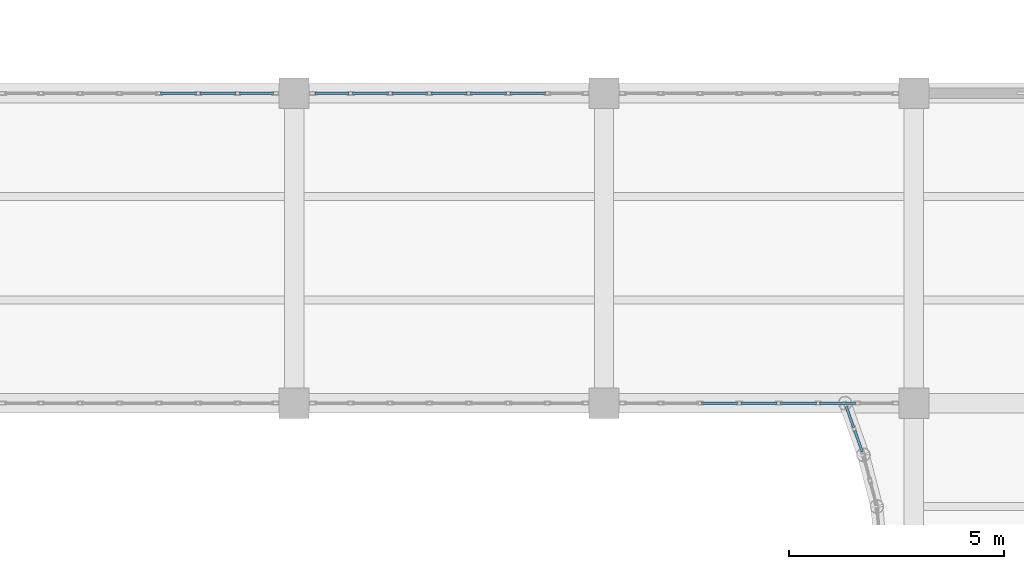
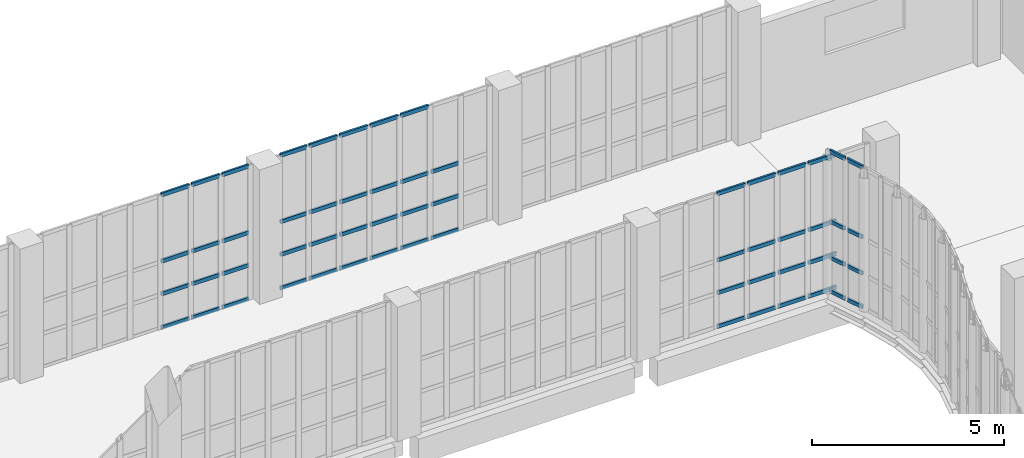
# One storey, part 56 of 108: 59 members, 4 elements without a shape of their own.
"""IFC4 building model written with IfcOpenShell, lengths in metres."""

from ifc_helpers import new_model, si_unit, direction, frame, origin, origin_2d, place, context, subcontext, project, spatial, hollow_rectangle, extrude, material, layer, layer_set, material_profile, profile_set, type_object, element, aggregate, save


model = new_model("IFC4")

# Units and contexts
model_context = context("Model", 3, precision=1e-05, world=origin(), true_north=direction((0.0, 1.0)))
body_context = subcontext(model_context, "Body", "Model", "MODEL_VIEW")
ifc_project = project(units=[si_unit("LENGTHUNIT", "METRE"), si_unit("AREAUNIT", "SQUARE_METRE"), si_unit("VOLUMEUNIT", "CUBIC_METRE"), si_unit("PLANEANGLEUNIT", "RADIAN"), si_unit("MASSUNIT", "GRAM", prefix="KILO"), si_unit("THERMODYNAMICTEMPERATUREUNIT", "KELVIN"), si_unit("POWERUNIT", "WATT")], contexts=[model_context])

# Site, building, storey
site_placement = place(None, origin())
site = spatial("IfcSite", under=ifc_project, at=site_placement, CompositionType="ELEMENT")
building_placement = place(site_placement, origin())
building = spatial("IfcBuilding", under=site, at=building_placement, Name="Kaldorven Railside Theatre", CompositionType="ELEMENT")
storey_placement = place(building_placement, frame((0.0, 0.0, 5.39990234375)))
storey = spatial("IfcBuildingStorey", under=building, at=storey_placement, Name="L01", CompositionType="ELEMENT", Elevation=5.39990234375)

# Curtain wall, members
ifc_material_1 = material(Name="Low-E laminated solar-control glass", Category="glass")
ifc_layer_1 = layer(ifc_material_1, 0.159912109375, Name="Low-E laminated solar-control glass")
ifc_layer_set_1 = layer_set([ifc_layer_1], Name="Low-E laminated solar-control glass")
curtain_wall_type_1 = type_object("IfcCurtainWallType", Name="CWT-01", PredefinedType="USERDEFINED", material=ifc_layer_set_1)
curtain_wall_1_placement = place(storey_placement, origin())
curtain_wall_1 = element("IfcCurtainWall", 1, at=curtain_wall_1_placement, inside=storey, type_object=curtain_wall_type_1, Name="Sinusoidal Fluted Curtain Wall CW-L01-W24", ObjectType="FLUTED GLAZING", PredefinedType="USERDEFINED")
ifc_material_2 = material(Name="Anodised bronze aluminium", Category="aluminium")
ifc_material_profile = material_profile(ifc_material_2, hollow_rectangle(XDim=0.06005859375, YDim=0.1201171875, WallThickness=0.0048828125, at=origin_2d()), Name="RHS 120x60x5")
ifc_profile_set = profile_set([ifc_material_profile], Name="Anodised bronze aluminium")
member_type = type_object("IfcMemberType", Name="CWT-120", PredefinedType="USERDEFINED", material=ifc_profile_set)
member_1_placement = place(storey_placement, frame((71.598388671875, 68.475341796875, 0.030029296875), z_axis=(-0.334030800363, 0.94256215944, 0.0), x_axis=(-0.94256215944, -0.334030800363, 0.0)))
member_1 = element("IfcMember", 2, at=member_1_placement, type_object=member_type, Name="CW-L01-W24 transom 1.1", ObjectType="TRANSOM", PredefinedType="USERDEFINED", context=body_context, shape_type="SweptSolid", body=[
    extrude(hollow_rectangle(XDim=0.06005859375, YDim=0.1201171875, WallThickness=0.0048828125, at=origin_2d()), origin(), (0.0, 0.0, 1.0), 0.516845703125),
])
member_2_placement = place(storey_placement, frame((71.598388671875, 68.475341796875, 1.10009765625), z_axis=(-0.334030800363, 0.94256215944, 0.0), x_axis=(-0.94256215944, -0.334030800363, 0.0)))
member_2 = element("IfcMember", 3, at=member_2_placement, type_object=member_type, Name="CW-L01-W24 transom 1.2", ObjectType="TRANSOM", PredefinedType="USERDEFINED", context=body_context, shape_type="SweptSolid", body=[
    extrude(hollow_rectangle(XDim=0.06005859375, YDim=0.1201171875, WallThickness=0.0048828125, at=origin_2d()), origin(), (0.0, 0.0, 1.0), 0.516845703125),
])
member_3_placement = place(storey_placement, frame((71.598388671875, 68.475341796875, 2.25), z_axis=(-0.334030800363, 0.94256215944, 0.0), x_axis=(-0.94256215944, -0.334030800363, 0.0)))
member_3 = element("IfcMember", 4, at=member_3_placement, type_object=member_type, Name="CW-L01-W24 transom 1.3", ObjectType="TRANSOM", PredefinedType="USERDEFINED", context=body_context, shape_type="SweptSolid", body=[
    extrude(hollow_rectangle(XDim=0.06005859375, YDim=0.1201171875, WallThickness=0.0048828125, at=origin_2d()), origin(), (0.0, 0.0, 1.0), 0.516845703125),
])
member_4_placement = place(storey_placement, frame((71.598388671875, 68.475341796875, 4.47021484375), z_axis=(-0.334030800363, 0.94256215944, 0.0), x_axis=(-0.94256215944, -0.334030800363, 0.0)))
member_4 = element("IfcMember", 5, at=member_4_placement, type_object=member_type, Name="CW-L01-W24 transom 1.4", ObjectType="TRANSOM", PredefinedType="USERDEFINED", context=body_context, shape_type="SweptSolid", body=[
    extrude(hollow_rectangle(XDim=0.06005859375, YDim=0.1201171875, WallThickness=0.0048828125, at=origin_2d()), origin(), (0.0, 0.0, 1.0), 0.516845703125),
])
member_5_placement = place(storey_placement, frame((71.399169921875, 69.03759765625, 0.030029296875), z_axis=(-0.333610954502, 0.942710841688, 0.0), x_axis=(-0.942710841688, -0.333610954502, 0.0)))
member_5 = element("IfcMember", 6, at=member_5_placement, type_object=member_type, Name="CW-L01-W24 transom 2.1", ObjectType="TRANSOM", PredefinedType="USERDEFINED", context=body_context, shape_type="SweptSolid", body=[
    extrude(hollow_rectangle(XDim=0.06005859375, YDim=0.1201171875, WallThickness=0.0048828125, at=origin_2d()), origin(), (0.0, 0.0, 1.0), 0.5166015625),
])
member_6_placement = place(storey_placement, frame((71.399169921875, 69.03759765625, 1.10009765625), z_axis=(-0.333610954502, 0.942710841688, 0.0), x_axis=(-0.942710841688, -0.333610954502, 0.0)))
member_6 = element("IfcMember", 7, at=member_6_placement, type_object=member_type, Name="CW-L01-W24 transom 2.2", ObjectType="TRANSOM", PredefinedType="USERDEFINED", context=body_context, shape_type="SweptSolid", body=[
    extrude(hollow_rectangle(XDim=0.06005859375, YDim=0.1201171875, WallThickness=0.0048828125, at=origin_2d()), origin(), (0.0, 0.0, 1.0), 0.5166015625),
])
member_7_placement = place(storey_placement, frame((71.399169921875, 69.03759765625, 2.25), z_axis=(-0.333610954502, 0.942710841688, 0.0), x_axis=(-0.942710841688, -0.333610954502, 0.0)))
member_7 = element("IfcMember", 8, at=member_7_placement, type_object=member_type, Name="CW-L01-W24 transom 2.3", ObjectType="TRANSOM", PredefinedType="USERDEFINED", context=body_context, shape_type="SweptSolid", body=[
    extrude(hollow_rectangle(XDim=0.06005859375, YDim=0.1201171875, WallThickness=0.0048828125, at=origin_2d()), origin(), (0.0, 0.0, 1.0), 0.5166015625),
])
member_8_placement = place(storey_placement, frame((71.399169921875, 69.03759765625, 4.47021484375), z_axis=(-0.333610954502, 0.942710841688, 0.0), x_axis=(-0.942710841688, -0.333610954502, 0.0)))
member_8 = element("IfcMember", 9, at=member_8_placement, type_object=member_type, Name="CW-L01-W24 transom 2.4", ObjectType="TRANSOM", PredefinedType="USERDEFINED", context=body_context, shape_type="SweptSolid", body=[
    extrude(hollow_rectangle(XDim=0.06005859375, YDim=0.1201171875, WallThickness=0.0048828125, at=origin_2d()), origin(), (0.0, 0.0, 1.0), 0.5166015625),
])
aggregate(curtain_wall_1, [member_1, member_2, member_3, member_4, member_5, member_6, member_7, member_8])

ifc_layer_2 = layer(ifc_material_1, 0.159912109375, Name="Low-E laminated solar-control glass")
ifc_layer_set_2 = layer_set([ifc_layer_2], Name="Low-E laminated solar-control glass")
curtain_wall_type_2 = type_object("IfcCurtainWallType", Name="CWT-25", PredefinedType="USERDEFINED", material=ifc_layer_set_2)
curtain_wall_2_placement = place(storey_placement, origin())
curtain_wall_2 = element("IfcCurtainWall", 10, at=curtain_wall_2_placement, inside=storey, type_object=curtain_wall_type_2, Name="Sinusoidal Fluted Curtain Wall CW-L01-BN02", ObjectType="FLUTED GLAZING", PredefinedType="USERDEFINED")
member_9_placement = place(storey_placement, frame((55.297119140625, 76.800048828125, 0.030029296875), z_axis=(1.0, 0.0, 0.0), x_axis=(0.0, 1.0, 0.0)))
member_9 = element("IfcMember", 11, at=member_9_placement, type_object=member_type, Name="CW-L01-BN02 transom 5.1", ObjectType="TRANSOM", PredefinedType="USERDEFINED", context=body_context, shape_type="SweptSolid", body=[
    extrude(hollow_rectangle(XDim=0.06005859375, YDim=0.1201171875, WallThickness=0.0048828125, at=origin_2d()), origin(), (0.0, 0.0, 1.0), 0.834228515625),
])
member_10_placement = place(storey_placement, frame((55.297119140625, 76.800048828125, 1.10009765625), z_axis=(1.0, 0.0, 0.0), x_axis=(0.0, 1.0, 0.0)))
member_10 = element("IfcMember", 12, at=member_10_placement, type_object=member_type, Name="CW-L01-BN02 transom 5.2", ObjectType="TRANSOM", PredefinedType="USERDEFINED", context=body_context, shape_type="SweptSolid", body=[
    extrude(hollow_rectangle(XDim=0.06005859375, YDim=0.1201171875, WallThickness=0.0048828125, at=origin_2d()), origin(), (0.0, 0.0, 1.0), 0.834228515625),
])
member_11_placement = place(storey_placement, frame((55.297119140625, 76.800048828125, 2.14013671875), z_axis=(1.0, 0.0, 0.0), x_axis=(0.0, 1.0, 0.0)))
member_11 = element("IfcMember", 13, at=member_11_placement, type_object=member_type, Name="CW-L01-BN02 transom 5.3", ObjectType="TRANSOM", PredefinedType="USERDEFINED", context=body_context, shape_type="SweptSolid", body=[
    extrude(hollow_rectangle(XDim=0.06005859375, YDim=0.1201171875, WallThickness=0.0048828125, at=origin_2d()), origin(), (0.0, 0.0, 1.0), 0.834228515625),
])
member_12_placement = place(storey_placement, frame((55.297119140625, 76.800048828125, 4.25), z_axis=(1.0, 0.0, 0.0), x_axis=(0.0, 1.0, 0.0)))
member_12 = element("IfcMember", 14, at=member_12_placement, type_object=member_type, Name="CW-L01-BN02 transom 5.4", ObjectType="TRANSOM", PredefinedType="USERDEFINED", context=body_context, shape_type="SweptSolid", body=[
    extrude(hollow_rectangle(XDim=0.06005859375, YDim=0.1201171875, WallThickness=0.0048828125, at=origin_2d()), origin(), (0.0, 0.0, 1.0), 0.834228515625),
])
member_13_placement = place(storey_placement, frame((56.21142578125, 76.800048828125, 0.030029296875), z_axis=(1.0, 0.0, 0.0), x_axis=(0.0, 1.0, 0.0)))
member_13 = element("IfcMember", 15, at=member_13_placement, type_object=member_type, Name="CW-L01-BN02 transom 6.1", ObjectType="TRANSOM", PredefinedType="USERDEFINED", context=body_context, shape_type="SweptSolid", body=[
    extrude(hollow_rectangle(XDim=0.06005859375, YDim=0.1201171875, WallThickness=0.0048828125, at=origin_2d()), origin(), (0.0, 0.0, 1.0), 0.834228515625),
])
member_14_placement = place(storey_placement, frame((56.21142578125, 76.800048828125, 1.10009765625), z_axis=(1.0, 0.0, 0.0), x_axis=(0.0, 1.0, 0.0)))
member_14 = element("IfcMember", 16, at=member_14_placement, type_object=member_type, Name="CW-L01-BN02 transom 6.2", ObjectType="TRANSOM", PredefinedType="USERDEFINED", context=body_context, shape_type="SweptSolid", body=[
    extrude(hollow_rectangle(XDim=0.06005859375, YDim=0.1201171875, WallThickness=0.0048828125, at=origin_2d()), origin(), (0.0, 0.0, 1.0), 0.834228515625),
])
member_15_placement = place(storey_placement, frame((56.21142578125, 76.800048828125, 2.14013671875), z_axis=(1.0, 0.0, 0.0), x_axis=(0.0, 1.0, 0.0)))
member_15 = element("IfcMember", 17, at=member_15_placement, type_object=member_type, Name="CW-L01-BN02 transom 6.3", ObjectType="TRANSOM", PredefinedType="USERDEFINED", context=body_context, shape_type="SweptSolid", body=[
    extrude(hollow_rectangle(XDim=0.06005859375, YDim=0.1201171875, WallThickness=0.0048828125, at=origin_2d()), origin(), (0.0, 0.0, 1.0), 0.834228515625),
])
member_16_placement = place(storey_placement, frame((56.21142578125, 76.800048828125, 4.25), z_axis=(1.0, 0.0, 0.0), x_axis=(0.0, 1.0, 0.0)))
member_16 = element("IfcMember", 18, at=member_16_placement, type_object=member_type, Name="CW-L01-BN02 transom 6.4", ObjectType="TRANSOM", PredefinedType="USERDEFINED", context=body_context, shape_type="SweptSolid", body=[
    extrude(hollow_rectangle(XDim=0.06005859375, YDim=0.1201171875, WallThickness=0.0048828125, at=origin_2d()), origin(), (0.0, 0.0, 1.0), 0.834228515625),
])
member_17_placement = place(storey_placement, frame((57.125732421875, 76.800048828125, 0.030029296875), z_axis=(1.0, 0.0, 0.0), x_axis=(0.0, 1.0, 0.0)))
member_17 = element("IfcMember", 19, at=member_17_placement, type_object=member_type, Name="CW-L01-BN02 transom 7.1", ObjectType="TRANSOM", PredefinedType="USERDEFINED", context=body_context, shape_type="SweptSolid", body=[
    extrude(hollow_rectangle(XDim=0.06005859375, YDim=0.1201171875, WallThickness=0.0048828125, at=origin_2d()), origin(), (0.0, 0.0, 1.0), 0.794189453125),
])
member_18_placement = place(storey_placement, frame((57.125732421875, 76.800048828125, 1.10009765625), z_axis=(1.0, 0.0, 0.0), x_axis=(0.0, 1.0, 0.0)))
member_18 = element("IfcMember", 20, at=member_18_placement, type_object=member_type, Name="CW-L01-BN02 transom 7.2", ObjectType="TRANSOM", PredefinedType="USERDEFINED", context=body_context, shape_type="SweptSolid", body=[
    extrude(hollow_rectangle(XDim=0.06005859375, YDim=0.1201171875, WallThickness=0.0048828125, at=origin_2d()), origin(), (0.0, 0.0, 1.0), 0.794189453125),
])
member_19_placement = place(storey_placement, frame((57.125732421875, 76.800048828125, 2.14013671875), z_axis=(1.0, 0.0, 0.0), x_axis=(0.0, 1.0, 0.0)))
member_19 = element("IfcMember", 21, at=member_19_placement, type_object=member_type, Name="CW-L01-BN02 transom 7.3", ObjectType="TRANSOM", PredefinedType="USERDEFINED", context=body_context, shape_type="SweptSolid", body=[
    extrude(hollow_rectangle(XDim=0.06005859375, YDim=0.1201171875, WallThickness=0.0048828125, at=origin_2d()), origin(), (0.0, 0.0, 1.0), 0.794189453125),
])
member_20_placement = place(storey_placement, frame((57.125732421875, 76.800048828125, 4.25), z_axis=(1.0, 0.0, 0.0), x_axis=(0.0, 1.0, 0.0)))
member_20 = element("IfcMember", 22, at=member_20_placement, type_object=member_type, Name="CW-L01-BN02 transom 7.4", ObjectType="TRANSOM", PredefinedType="USERDEFINED", context=body_context, shape_type="SweptSolid", body=[
    extrude(hollow_rectangle(XDim=0.06005859375, YDim=0.1201171875, WallThickness=0.0048828125, at=origin_2d()), origin(), (0.0, 0.0, 1.0), 0.794189453125),
])
aggregate(curtain_wall_2, [member_9, member_10, member_11, member_12, member_13, member_14, member_15, member_16, member_17, member_18, member_19, member_20])

curtain_wall_3_placement = place(storey_placement, origin())
curtain_wall_3 = element("IfcCurtainWall", 23, at=curtain_wall_3_placement, inside=storey, type_object=curtain_wall_type_2, Name="Sinusoidal Fluted Curtain Wall CW-L01-BN03", ObjectType="FLUTED GLAZING", PredefinedType="USERDEFINED")
member_21_placement = place(storey_placement, frame((58.8798828125, 76.800048828125, 0.030029296875), z_axis=(1.0, 0.0, 0.0), x_axis=(0.0, 1.0, 0.0)))
member_21 = element("IfcMember", 24, at=member_21_placement, type_object=member_type, Name="CW-L01-BN03 transom 1.1", ObjectType="TRANSOM", PredefinedType="USERDEFINED", context=body_context, shape_type="SweptSolid", body=[
    extrude(hollow_rectangle(XDim=0.06005859375, YDim=0.1201171875, WallThickness=0.0048828125, at=origin_2d()), origin(), (0.0, 0.0, 1.0), 0.79443359375),
])
member_22_placement = place(storey_placement, frame((58.8798828125, 76.800048828125, 1.10009765625), z_axis=(1.0, 0.0, 0.0), x_axis=(0.0, 1.0, 0.0)))
member_22 = element("IfcMember", 25, at=member_22_placement, type_object=member_type, Name="CW-L01-BN03 transom 1.2", ObjectType="TRANSOM", PredefinedType="USERDEFINED", context=body_context, shape_type="SweptSolid", body=[
    extrude(hollow_rectangle(XDim=0.06005859375, YDim=0.1201171875, WallThickness=0.0048828125, at=origin_2d()), origin(), (0.0, 0.0, 1.0), 0.79443359375),
])
member_23_placement = place(storey_placement, frame((58.8798828125, 76.800048828125, 2.14013671875), z_axis=(1.0, 0.0, 0.0), x_axis=(0.0, 1.0, 0.0)))
member_23 = element("IfcMember", 26, at=member_23_placement, type_object=member_type, Name="CW-L01-BN03 transom 1.3", ObjectType="TRANSOM", PredefinedType="USERDEFINED", context=body_context, shape_type="SweptSolid", body=[
    extrude(hollow_rectangle(XDim=0.06005859375, YDim=0.1201171875, WallThickness=0.0048828125, at=origin_2d()), origin(), (0.0, 0.0, 1.0), 0.79443359375),
])
member_24_placement = place(storey_placement, frame((58.8798828125, 76.800048828125, 4.25), z_axis=(1.0, 0.0, 0.0), x_axis=(0.0, 1.0, 0.0)))
member_24 = element("IfcMember", 27, at=member_24_placement, type_object=member_type, Name="CW-L01-BN03 transom 1.4", ObjectType="TRANSOM", PredefinedType="USERDEFINED", context=body_context, shape_type="SweptSolid", body=[
    extrude(hollow_rectangle(XDim=0.06005859375, YDim=0.1201171875, WallThickness=0.0048828125, at=origin_2d()), origin(), (0.0, 0.0, 1.0), 0.79443359375),
])
member_25_placement = place(storey_placement, frame((59.75439453125, 76.800048828125, 0.030029296875), z_axis=(1.0, 0.0, 0.0), x_axis=(0.0, 1.0, 0.0)))
member_25 = element("IfcMember", 28, at=member_25_placement, type_object=member_type, Name="CW-L01-BN03 transom 2.1", ObjectType="TRANSOM", PredefinedType="USERDEFINED", context=body_context, shape_type="SweptSolid", body=[
    extrude(hollow_rectangle(XDim=0.06005859375, YDim=0.1201171875, WallThickness=0.0048828125, at=origin_2d()), origin(), (0.0, 0.0, 1.0), 0.834228515625),
])
member_26_placement = place(storey_placement, frame((59.75439453125, 76.800048828125, 1.10009765625), z_axis=(1.0, 0.0, 0.0), x_axis=(0.0, 1.0, 0.0)))
member_26 = element("IfcMember", 29, at=member_26_placement, type_object=member_type, Name="CW-L01-BN03 transom 2.2", ObjectType="TRANSOM", PredefinedType="USERDEFINED", context=body_context, shape_type="SweptSolid", body=[
    extrude(hollow_rectangle(XDim=0.06005859375, YDim=0.1201171875, WallThickness=0.0048828125, at=origin_2d()), origin(), (0.0, 0.0, 1.0), 0.834228515625),
])
member_27_placement = place(storey_placement, frame((59.75439453125, 76.800048828125, 2.14013671875), z_axis=(1.0, 0.0, 0.0), x_axis=(0.0, 1.0, 0.0)))
member_27 = element("IfcMember", 30, at=member_27_placement, type_object=member_type, Name="CW-L01-BN03 transom 2.3", ObjectType="TRANSOM", PredefinedType="USERDEFINED", context=body_context, shape_type="SweptSolid", body=[
    extrude(hollow_rectangle(XDim=0.06005859375, YDim=0.1201171875, WallThickness=0.0048828125, at=origin_2d()), origin(), (0.0, 0.0, 1.0), 0.834228515625),
])
member_28_placement = place(storey_placement, frame((59.75439453125, 76.800048828125, 4.25), z_axis=(1.0, 0.0, 0.0), x_axis=(0.0, 1.0, 0.0)))
member_28 = element("IfcMember", 31, at=member_28_placement, type_object=member_type, Name="CW-L01-BN03 transom 2.4", ObjectType="TRANSOM", PredefinedType="USERDEFINED", context=body_context, shape_type="SweptSolid", body=[
    extrude(hollow_rectangle(XDim=0.06005859375, YDim=0.1201171875, WallThickness=0.0048828125, at=origin_2d()), origin(), (0.0, 0.0, 1.0), 0.834228515625),
])
member_29_placement = place(storey_placement, frame((60.66845703125, 76.800048828125, 0.030029296875), z_axis=(1.0, 0.0, 0.0), x_axis=(0.0, 1.0, 0.0)))
member_29 = element("IfcMember", 32, at=member_29_placement, type_object=member_type, Name="CW-L01-BN03 transom 3.1", ObjectType="TRANSOM", PredefinedType="USERDEFINED", context=body_context, shape_type="SweptSolid", body=[
    extrude(hollow_rectangle(XDim=0.06005859375, YDim=0.1201171875, WallThickness=0.0048828125, at=origin_2d()), origin(), (0.0, 0.0, 1.0), 0.83447265625),
])
member_30_placement = place(storey_placement, frame((60.66845703125, 76.800048828125, 1.10009765625), z_axis=(1.0, 0.0, 0.0), x_axis=(0.0, 1.0, 0.0)))
member_30 = element("IfcMember", 33, at=member_30_placement, type_object=member_type, Name="CW-L01-BN03 transom 3.2", ObjectType="TRANSOM", PredefinedType="USERDEFINED", context=body_context, shape_type="SweptSolid", body=[
    extrude(hollow_rectangle(XDim=0.06005859375, YDim=0.1201171875, WallThickness=0.0048828125, at=origin_2d()), origin(), (0.0, 0.0, 1.0), 0.83447265625),
])
member_31_placement = place(storey_placement, frame((60.66845703125, 76.800048828125, 2.14013671875), z_axis=(1.0, 0.0, 0.0), x_axis=(0.0, 1.0, 0.0)))
member_31 = element("IfcMember", 34, at=member_31_placement, type_object=member_type, Name="CW-L01-BN03 transom 3.3", ObjectType="TRANSOM", PredefinedType="USERDEFINED", context=body_context, shape_type="SweptSolid", body=[
    extrude(hollow_rectangle(XDim=0.06005859375, YDim=0.1201171875, WallThickness=0.0048828125, at=origin_2d()), origin(), (0.0, 0.0, 1.0), 0.83447265625),
])
member_32_placement = place(storey_placement, frame((60.66845703125, 76.800048828125, 4.25), z_axis=(1.0, 0.0, 0.0), x_axis=(0.0, 1.0, 0.0)))
member_32 = element("IfcMember", 35, at=member_32_placement, type_object=member_type, Name="CW-L01-BN03 transom 3.4", ObjectType="TRANSOM", PredefinedType="USERDEFINED", context=body_context, shape_type="SweptSolid", body=[
    extrude(hollow_rectangle(XDim=0.06005859375, YDim=0.1201171875, WallThickness=0.0048828125, at=origin_2d()), origin(), (0.0, 0.0, 1.0), 0.83447265625),
])
member_33_placement = place(storey_placement, frame((61.582763671875, 76.800048828125, 0.030029296875), z_axis=(1.0, 0.0, 0.0), x_axis=(0.0, 1.0, 0.0)))
member_33 = element("IfcMember", 36, at=member_33_placement, type_object=member_type, Name="CW-L01-BN03 transom 4.1", ObjectType="TRANSOM", PredefinedType="USERDEFINED", context=body_context, shape_type="SweptSolid", body=[
    extrude(hollow_rectangle(XDim=0.06005859375, YDim=0.1201171875, WallThickness=0.0048828125, at=origin_2d()), origin(), (0.0, 0.0, 1.0), 0.83447265625),
])
member_34_placement = place(storey_placement, frame((61.582763671875, 76.800048828125, 1.10009765625), z_axis=(1.0, 0.0, 0.0), x_axis=(0.0, 1.0, 0.0)))
member_34 = element("IfcMember", 37, at=member_34_placement, type_object=member_type, Name="CW-L01-BN03 transom 4.2", ObjectType="TRANSOM", PredefinedType="USERDEFINED", context=body_context, shape_type="SweptSolid", body=[
    extrude(hollow_rectangle(XDim=0.06005859375, YDim=0.1201171875, WallThickness=0.0048828125, at=origin_2d()), origin(), (0.0, 0.0, 1.0), 0.83447265625),
])
member_35_placement = place(storey_placement, frame((61.582763671875, 76.800048828125, 2.14013671875), z_axis=(1.0, 0.0, 0.0), x_axis=(0.0, 1.0, 0.0)))
member_35 = element("IfcMember", 38, at=member_35_placement, type_object=member_type, Name="CW-L01-BN03 transom 4.3", ObjectType="TRANSOM", PredefinedType="USERDEFINED", context=body_context, shape_type="SweptSolid", body=[
    extrude(hollow_rectangle(XDim=0.06005859375, YDim=0.1201171875, WallThickness=0.0048828125, at=origin_2d()), origin(), (0.0, 0.0, 1.0), 0.83447265625),
])
member_36_placement = place(storey_placement, frame((61.582763671875, 76.800048828125, 4.25), z_axis=(1.0, 0.0, 0.0), x_axis=(0.0, 1.0, 0.0)))
member_36 = element("IfcMember", 39, at=member_36_placement, type_object=member_type, Name="CW-L01-BN03 transom 4.4", ObjectType="TRANSOM", PredefinedType="USERDEFINED", context=body_context, shape_type="SweptSolid", body=[
    extrude(hollow_rectangle(XDim=0.06005859375, YDim=0.1201171875, WallThickness=0.0048828125, at=origin_2d()), origin(), (0.0, 0.0, 1.0), 0.83447265625),
])
member_37_placement = place(storey_placement, frame((62.4970703125, 76.800048828125, 0.030029296875), z_axis=(1.0, 0.0, 0.0), x_axis=(0.0, 1.0, 0.0)))
member_37 = element("IfcMember", 40, at=member_37_placement, type_object=member_type, Name="CW-L01-BN03 transom 5.1", ObjectType="TRANSOM", PredefinedType="USERDEFINED", context=body_context, shape_type="SweptSolid", body=[
    extrude(hollow_rectangle(XDim=0.06005859375, YDim=0.1201171875, WallThickness=0.0048828125, at=origin_2d()), origin(), (0.0, 0.0, 1.0), 0.83447265625),
])
member_38_placement = place(storey_placement, frame((62.4970703125, 76.800048828125, 1.10009765625), z_axis=(1.0, 0.0, 0.0), x_axis=(0.0, 1.0, 0.0)))
member_38 = element("IfcMember", 41, at=member_38_placement, type_object=member_type, Name="CW-L01-BN03 transom 5.2", ObjectType="TRANSOM", PredefinedType="USERDEFINED", context=body_context, shape_type="SweptSolid", body=[
    extrude(hollow_rectangle(XDim=0.06005859375, YDim=0.1201171875, WallThickness=0.0048828125, at=origin_2d()), origin(), (0.0, 0.0, 1.0), 0.83447265625),
])
member_39_placement = place(storey_placement, frame((62.4970703125, 76.800048828125, 2.14013671875), z_axis=(1.0, 0.0, 0.0), x_axis=(0.0, 1.0, 0.0)))
member_39 = element("IfcMember", 42, at=member_39_placement, type_object=member_type, Name="CW-L01-BN03 transom 5.3", ObjectType="TRANSOM", PredefinedType="USERDEFINED", context=body_context, shape_type="SweptSolid", body=[
    extrude(hollow_rectangle(XDim=0.06005859375, YDim=0.1201171875, WallThickness=0.0048828125, at=origin_2d()), origin(), (0.0, 0.0, 1.0), 0.83447265625),
])
member_40_placement = place(storey_placement, frame((62.4970703125, 76.800048828125, 4.25), z_axis=(1.0, 0.0, 0.0), x_axis=(0.0, 1.0, 0.0)))
member_40 = element("IfcMember", 43, at=member_40_placement, type_object=member_type, Name="CW-L01-BN03 transom 5.4", ObjectType="TRANSOM", PredefinedType="USERDEFINED", context=body_context, shape_type="SweptSolid", body=[
    extrude(hollow_rectangle(XDim=0.06005859375, YDim=0.1201171875, WallThickness=0.0048828125, at=origin_2d()), origin(), (0.0, 0.0, 1.0), 0.83447265625),
])
member_41_placement = place(storey_placement, frame((63.411376953125, 76.800048828125, 0.030029296875), z_axis=(1.0, 0.0, 0.0), x_axis=(0.0, 1.0, 0.0)))
member_41 = element("IfcMember", 44, at=member_41_placement, type_object=member_type, Name="CW-L01-BN03 transom 6.1", ObjectType="TRANSOM", PredefinedType="USERDEFINED", context=body_context, shape_type="SweptSolid", body=[
    extrude(hollow_rectangle(XDim=0.06005859375, YDim=0.1201171875, WallThickness=0.0048828125, at=origin_2d()), origin(), (0.0, 0.0, 1.0), 0.834228515625),
])
member_42_placement = place(storey_placement, frame((63.411376953125, 76.800048828125, 1.10009765625), z_axis=(1.0, 0.0, 0.0), x_axis=(0.0, 1.0, 0.0)))
member_42 = element("IfcMember", 45, at=member_42_placement, type_object=member_type, Name="CW-L01-BN03 transom 6.2", ObjectType="TRANSOM", PredefinedType="USERDEFINED", context=body_context, shape_type="SweptSolid", body=[
    extrude(hollow_rectangle(XDim=0.06005859375, YDim=0.1201171875, WallThickness=0.0048828125, at=origin_2d()), origin(), (0.0, 0.0, 1.0), 0.834228515625),
])
member_43_placement = place(storey_placement, frame((63.411376953125, 76.800048828125, 2.14013671875), z_axis=(1.0, 0.0, 0.0), x_axis=(0.0, 1.0, 0.0)))
member_43 = element("IfcMember", 46, at=member_43_placement, type_object=member_type, Name="CW-L01-BN03 transom 6.3", ObjectType="TRANSOM", PredefinedType="USERDEFINED", context=body_context, shape_type="SweptSolid", body=[
    extrude(hollow_rectangle(XDim=0.06005859375, YDim=0.1201171875, WallThickness=0.0048828125, at=origin_2d()), origin(), (0.0, 0.0, 1.0), 0.834228515625),
])
aggregate(curtain_wall_3, [member_21, member_22, member_23, member_24, member_25, member_26, member_27, member_28, member_29, member_30, member_31, member_32, member_33, member_34, member_35, member_36, member_37, member_38, member_39, member_40, member_41, member_42, member_43])

curtain_wall_4_placement = place(storey_placement, origin())
curtain_wall_4 = element("IfcCurtainWall", 47, at=curtain_wall_4_placement, inside=storey, type_object=curtain_wall_type_2, Name="Sinusoidal Fluted Curtain Wall CW-L01-BS04", ObjectType="FLUTED GLAZING", PredefinedType="USERDEFINED")
member_44_placement = place(storey_placement, frame((67.86865234375, 69.60009765625, 0.030029296875), z_axis=(1.0, 0.0, 0.0), x_axis=(0.0, 1.0, 0.0)))
member_44 = element("IfcMember", 48, at=member_44_placement, type_object=member_type, Name="CW-L01-BS04 transom 3.1", ObjectType="TRANSOM", PredefinedType="USERDEFINED", context=body_context, shape_type="SweptSolid", body=[
    extrude(hollow_rectangle(XDim=0.06005859375, YDim=0.1201171875, WallThickness=0.0048828125, at=origin_2d()), origin(), (0.0, 0.0, 1.0), 0.834228515625),
])
member_45_placement = place(storey_placement, frame((67.86865234375, 69.60009765625, 1.10009765625), z_axis=(1.0, 0.0, 0.0), x_axis=(0.0, 1.0, 0.0)))
member_45 = element("IfcMember", 49, at=member_45_placement, type_object=member_type, Name="CW-L01-BS04 transom 3.2", ObjectType="TRANSOM", PredefinedType="USERDEFINED", context=body_context, shape_type="SweptSolid", body=[
    extrude(hollow_rectangle(XDim=0.06005859375, YDim=0.1201171875, WallThickness=0.0048828125, at=origin_2d()), origin(), (0.0, 0.0, 1.0), 0.834228515625),
])
member_46_placement = place(storey_placement, frame((67.86865234375, 69.60009765625, 2.14013671875), z_axis=(1.0, 0.0, 0.0), x_axis=(0.0, 1.0, 0.0)))
member_46 = element("IfcMember", 50, at=member_46_placement, type_object=member_type, Name="CW-L01-BS04 transom 3.3", ObjectType="TRANSOM", PredefinedType="USERDEFINED", context=body_context, shape_type="SweptSolid", body=[
    extrude(hollow_rectangle(XDim=0.06005859375, YDim=0.1201171875, WallThickness=0.0048828125, at=origin_2d()), origin(), (0.0, 0.0, 1.0), 0.834228515625),
])
member_47_placement = place(storey_placement, frame((67.86865234375, 69.60009765625, 4.25), z_axis=(1.0, 0.0, 0.0), x_axis=(0.0, 1.0, 0.0)))
member_47 = element("IfcMember", 51, at=member_47_placement, type_object=member_type, Name="CW-L01-BS04 transom 3.4", ObjectType="TRANSOM", PredefinedType="USERDEFINED", context=body_context, shape_type="SweptSolid", body=[
    extrude(hollow_rectangle(XDim=0.06005859375, YDim=0.1201171875, WallThickness=0.0048828125, at=origin_2d()), origin(), (0.0, 0.0, 1.0), 0.834228515625),
])
member_48_placement = place(storey_placement, frame((68.782958984375, 69.60009765625, 0.030029296875), z_axis=(1.0, 0.0, 0.0), x_axis=(0.0, 1.0, 0.0)))
member_48 = element("IfcMember", 52, at=member_48_placement, type_object=member_type, Name="CW-L01-BS04 transom 4.1", ObjectType="TRANSOM", PredefinedType="USERDEFINED", context=body_context, shape_type="SweptSolid", body=[
    extrude(hollow_rectangle(XDim=0.06005859375, YDim=0.1201171875, WallThickness=0.0048828125, at=origin_2d()), origin(), (0.0, 0.0, 1.0), 0.834228515625),
])
member_49_placement = place(storey_placement, frame((68.782958984375, 69.60009765625, 1.10009765625), z_axis=(1.0, 0.0, 0.0), x_axis=(0.0, 1.0, 0.0)))
member_49 = element("IfcMember", 53, at=member_49_placement, type_object=member_type, Name="CW-L01-BS04 transom 4.2", ObjectType="TRANSOM", PredefinedType="USERDEFINED", context=body_context, shape_type="SweptSolid", body=[
    extrude(hollow_rectangle(XDim=0.06005859375, YDim=0.1201171875, WallThickness=0.0048828125, at=origin_2d()), origin(), (0.0, 0.0, 1.0), 0.834228515625),
])
member_50_placement = place(storey_placement, frame((68.782958984375, 69.60009765625, 2.14013671875), z_axis=(1.0, 0.0, 0.0), x_axis=(0.0, 1.0, 0.0)))
member_50 = element("IfcMember", 54, at=member_50_placement, type_object=member_type, Name="CW-L01-BS04 transom 4.3", ObjectType="TRANSOM", PredefinedType="USERDEFINED", context=body_context, shape_type="SweptSolid", body=[
    extrude(hollow_rectangle(XDim=0.06005859375, YDim=0.1201171875, WallThickness=0.0048828125, at=origin_2d()), origin(), (0.0, 0.0, 1.0), 0.834228515625),
])
member_51_placement = place(storey_placement, frame((68.782958984375, 69.60009765625, 4.25), z_axis=(1.0, 0.0, 0.0), x_axis=(0.0, 1.0, 0.0)))
member_51 = element("IfcMember", 55, at=member_51_placement, type_object=member_type, Name="CW-L01-BS04 transom 4.4", ObjectType="TRANSOM", PredefinedType="USERDEFINED", context=body_context, shape_type="SweptSolid", body=[
    extrude(hollow_rectangle(XDim=0.06005859375, YDim=0.1201171875, WallThickness=0.0048828125, at=origin_2d()), origin(), (0.0, 0.0, 1.0), 0.834228515625),
])
member_52_placement = place(storey_placement, frame((69.697021484375, 69.60009765625, 0.030029296875), z_axis=(1.0, 0.0, 0.0), x_axis=(0.0, 1.0, 0.0)))
member_52 = element("IfcMember", 56, at=member_52_placement, type_object=member_type, Name="CW-L01-BS04 transom 5.1", ObjectType="TRANSOM", PredefinedType="USERDEFINED", context=body_context, shape_type="SweptSolid", body=[
    extrude(hollow_rectangle(XDim=0.06005859375, YDim=0.1201171875, WallThickness=0.0048828125, at=origin_2d()), origin(), (0.0, 0.0, 1.0), 0.83447265625),
])
member_53_placement = place(storey_placement, frame((69.697021484375, 69.60009765625, 1.10009765625), z_axis=(1.0, 0.0, 0.0), x_axis=(0.0, 1.0, 0.0)))
member_53 = element("IfcMember", 57, at=member_53_placement, type_object=member_type, Name="CW-L01-BS04 transom 5.2", ObjectType="TRANSOM", PredefinedType="USERDEFINED", context=body_context, shape_type="SweptSolid", body=[
    extrude(hollow_rectangle(XDim=0.06005859375, YDim=0.1201171875, WallThickness=0.0048828125, at=origin_2d()), origin(), (0.0, 0.0, 1.0), 0.83447265625),
])
member_54_placement = place(storey_placement, frame((69.697021484375, 69.60009765625, 2.14013671875), z_axis=(1.0, 0.0, 0.0), x_axis=(0.0, 1.0, 0.0)))
member_54 = element("IfcMember", 58, at=member_54_placement, type_object=member_type, Name="CW-L01-BS04 transom 5.3", ObjectType="TRANSOM", PredefinedType="USERDEFINED", context=body_context, shape_type="SweptSolid", body=[
    extrude(hollow_rectangle(XDim=0.06005859375, YDim=0.1201171875, WallThickness=0.0048828125, at=origin_2d()), origin(), (0.0, 0.0, 1.0), 0.83447265625),
])
member_55_placement = place(storey_placement, frame((69.697021484375, 69.60009765625, 4.25), z_axis=(1.0, 0.0, 0.0), x_axis=(0.0, 1.0, 0.0)))
member_55 = element("IfcMember", 59, at=member_55_placement, type_object=member_type, Name="CW-L01-BS04 transom 5.4", ObjectType="TRANSOM", PredefinedType="USERDEFINED", context=body_context, shape_type="SweptSolid", body=[
    extrude(hollow_rectangle(XDim=0.06005859375, YDim=0.1201171875, WallThickness=0.0048828125, at=origin_2d()), origin(), (0.0, 0.0, 1.0), 0.83447265625),
])
member_56_placement = place(storey_placement, frame((70.611328125, 69.60009765625, 0.030029296875), z_axis=(1.0, 0.0, 0.0), x_axis=(0.0, 1.0, 0.0)))
member_56 = element("IfcMember", 60, at=member_56_placement, type_object=member_type, Name="CW-L01-BS04 transom 6.1", ObjectType="TRANSOM", PredefinedType="USERDEFINED", context=body_context, shape_type="SweptSolid", body=[
    extrude(hollow_rectangle(XDim=0.06005859375, YDim=0.1201171875, WallThickness=0.0048828125, at=origin_2d()), origin(), (0.0, 0.0, 1.0), 0.83447265625),
])
member_57_placement = place(storey_placement, frame((70.611328125, 69.60009765625, 1.10009765625), z_axis=(1.0, 0.0, 0.0), x_axis=(0.0, 1.0, 0.0)))
member_57 = element("IfcMember", 61, at=member_57_placement, type_object=member_type, Name="CW-L01-BS04 transom 6.2", ObjectType="TRANSOM", PredefinedType="USERDEFINED", context=body_context, shape_type="SweptSolid", body=[
    extrude(hollow_rectangle(XDim=0.06005859375, YDim=0.1201171875, WallThickness=0.0048828125, at=origin_2d()), origin(), (0.0, 0.0, 1.0), 0.83447265625),
])
member_58_placement = place(storey_placement, frame((70.611328125, 69.60009765625, 2.14013671875), z_axis=(1.0, 0.0, 0.0), x_axis=(0.0, 1.0, 0.0)))
member_58 = element("IfcMember", 62, at=member_58_placement, type_object=member_type, Name="CW-L01-BS04 transom 6.3", ObjectType="TRANSOM", PredefinedType="USERDEFINED", context=body_context, shape_type="SweptSolid", body=[
    extrude(hollow_rectangle(XDim=0.06005859375, YDim=0.1201171875, WallThickness=0.0048828125, at=origin_2d()), origin(), (0.0, 0.0, 1.0), 0.83447265625),
])
member_59_placement = place(storey_placement, frame((70.611328125, 69.60009765625, 4.25), z_axis=(1.0, 0.0, 0.0), x_axis=(0.0, 1.0, 0.0)))
member_59 = element("IfcMember", 63, at=member_59_placement, type_object=member_type, Name="CW-L01-BS04 transom 6.4", ObjectType="TRANSOM", PredefinedType="USERDEFINED", context=body_context, shape_type="SweptSolid", body=[
    extrude(hollow_rectangle(XDim=0.06005859375, YDim=0.1201171875, WallThickness=0.0048828125, at=origin_2d()), origin(), (0.0, 0.0, 1.0), 0.83447265625),
])
aggregate(curtain_wall_4, [member_44, member_45, member_46, member_47, member_48, member_49, member_50, member_51, member_52, member_53, member_54, member_55, member_56, member_57, member_58, member_59])

save(model, "model.ifc")
